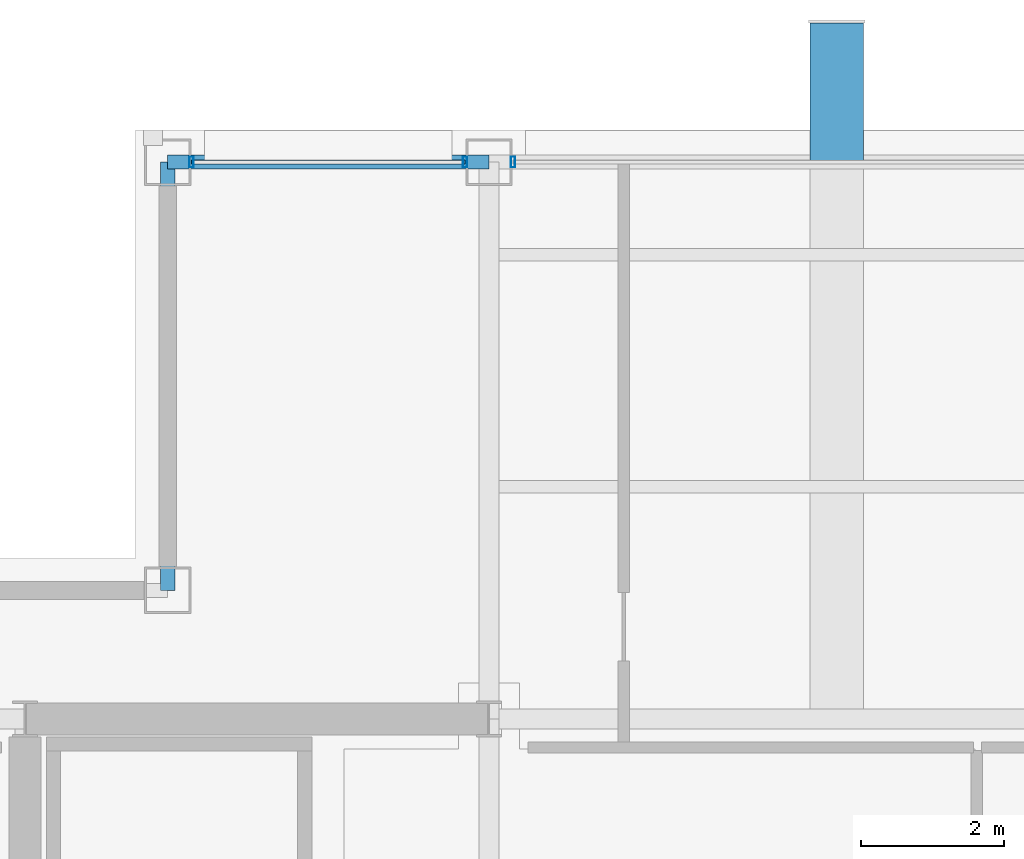
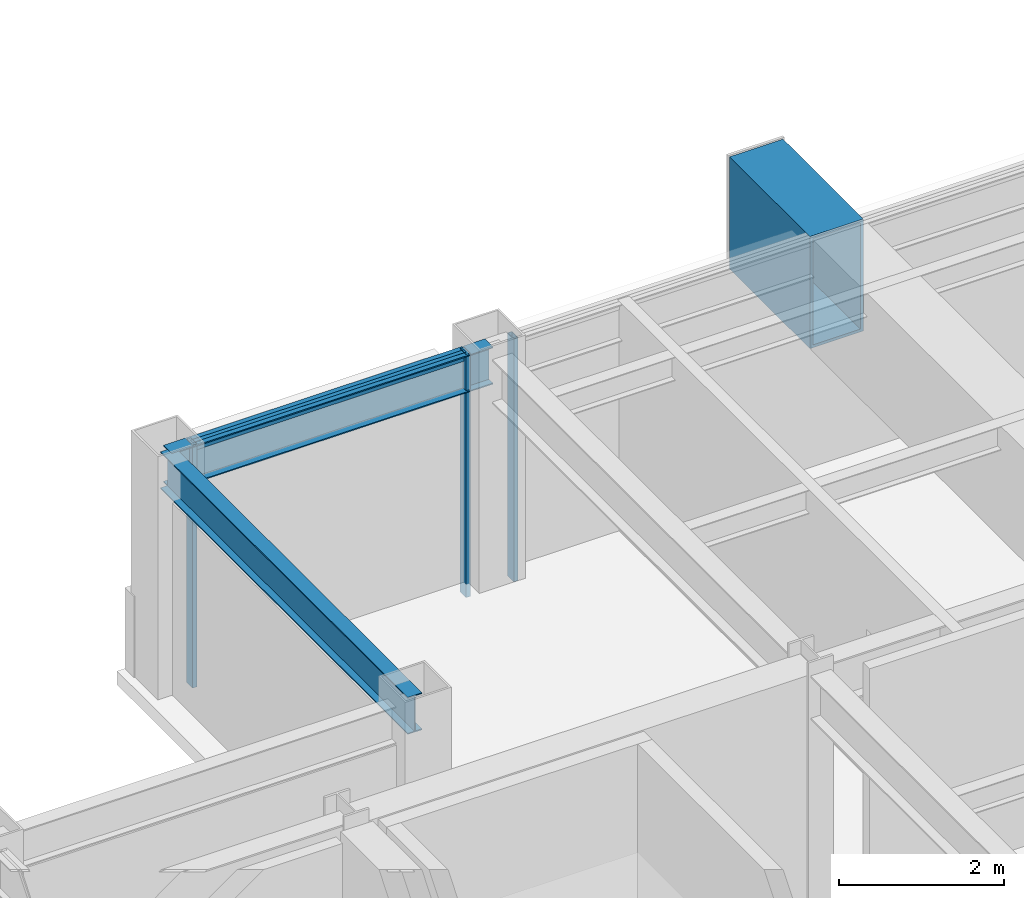
# One storey, part 13 of 20: 4 members, 3 beams, 2 elements without a shape of their own.
"""IFC4 building model written with IfcOpenShell, lengths in metres."""

from ifc_helpers import new_model, si_unit, direction, frame, origin, origin_2d, place, context, subcontext, project, spatial, hollow_rectangle, i_section, extrude, material, layer, layer_set, material_profile, profile_set, type_object, element, aggregate, save


model = new_model("IFC4")

# Units and contexts
model_context = context("Model", 3, precision=1e-05, world=origin(), true_north=direction((0.0, 1.0)))
body_context = subcontext(model_context, "Body", "Model", "MODEL_VIEW")
ifc_project = project(units=[si_unit("LENGTHUNIT", "METRE"), si_unit("AREAUNIT", "SQUARE_METRE"), si_unit("VOLUMEUNIT", "CUBIC_METRE"), si_unit("PLANEANGLEUNIT", "RADIAN"), si_unit("MASSUNIT", "GRAM", prefix="KILO")], contexts=[model_context])

# Site, building, storey
site_placement = place(None, origin())
site = spatial("IfcSite", under=ifc_project, at=site_placement, CompositionType="ELEMENT")
building_placement = place(site_placement, origin())
building = spatial("IfcBuilding", under=site, at=building_placement, Name="Brelmoor Portico Tower", CompositionType="ELEMENT")
storey_placement = place(building_placement, frame((0.0, 0.0, 218.39990234375)))
storey = spatial("IfcBuildingStorey", under=building, at=storey_placement, Name="L57", CompositionType="ELEMENT", Elevation=218.39990234375)

# Beams
ifc_material_1 = material(Name="Steel Q355B", Category="steel")
ifc_material_profile_1 = material_profile(ifc_material_1, hollow_rectangle(XDim=0.75, YDim=1.659912109375, WallThickness=0.0419921875, at=origin_2d()), Name="BOX 750x1660x42")
ifc_profile_set_1 = profile_set([ifc_material_profile_1], Name="Steel Q355B")
beam_type_1 = type_object("IfcBeamType", Name="BM-PF-CANT", PredefinedType="BEAM", material=ifc_profile_set_1)
beam_1_placement = place(storey_placement, frame((-3.179931640625, 17.550048828125, 2.570068359375), z_axis=(0.0, 1.0, 0.0), x_axis=(-1.0, 0.0, 0.0)))
element("IfcBeam", 1, at=beam_1_placement, inside=storey, type_object=beam_type_1, Name="L57 Picture-Frame Outrigger Transfer Cantilever PFB-01", PredefinedType="BEAM", context=body_context, shape_type="SweptSolid", body=[
    extrude(hollow_rectangle(XDim=0.75, YDim=1.659912109375, WallThickness=0.0419921875, at=origin_2d()), origin(), (0.0, 0.0, 1.0), 1.949951171875),
])
ifc_material_profile_2 = material_profile(ifc_material_1, i_section(OverallWidth=0.199951171875, OverallDepth=0.550048828125, WebThickness=0.010009765625, FlangeThickness=0.01611328125, at=origin_2d()), Name="HN 550x200x10x16")
ifc_profile_set_2 = profile_set([ifc_material_profile_2], Name="Steel Q355B")
beam_type_2 = type_object("IfcBeamType", Name="BM-SP-550", PredefinedType="SPANDREL", material=ifc_profile_set_2)
beam_2_placement = place(storey_placement, frame((-12.550048828125, 17.550048828125, 3.125), z_axis=(1.0, 0.0, 0.0), x_axis=(0.0, 1.0, 0.0)))
element("IfcBeam", 2, at=beam_2_placement, inside=storey, type_object=beam_type_2, Name="L57 Perimeter Spandrel Beam SP-08", PredefinedType="SPANDREL", context=body_context, shape_type="SweptSolid", body=[
    extrude(i_section(OverallWidth=0.199951171875, OverallDepth=0.550048828125, WebThickness=0.010009765625, FlangeThickness=0.01611328125, at=origin_2d()), origin(), (0.0, 0.0, 1.0), 4.5),
])
beam_3_placement = place(storey_placement, frame((-12.550048828125, 11.550048828125, 3.125), z_axis=(0.0, 1.0, 0.0), x_axis=(-1.0, 0.0, 0.0)))
element("IfcBeam", 3, at=beam_3_placement, inside=storey, type_object=beam_type_2, Name="L57 Perimeter Spandrel Beam SP-15", PredefinedType="SPANDREL", context=body_context, shape_type="SweptSolid", body=[
    extrude(i_section(OverallWidth=0.199951171875, OverallDepth=0.550048828125, WebThickness=0.010009765625, FlangeThickness=0.01611328125, at=origin_2d()), origin(), (0.0, 0.0, 1.0), 6.0),
])

# Curtain wall, members
ifc_material_2 = material(Name="Anodised Aluminium Alloy 6063-T6", Category="aluminium")
ifc_layer = layer(ifc_material_2, 0.179931640625)
ifc_layer_set = layer_set([ifc_layer], Name="Anodised Aluminium Alloy 6063-T6")
curtain_wall_type = type_object("IfcCurtainWallType", Name="CW-TOWER-Z4-XB", PredefinedType="NOTDEFINED", material=ifc_layer_set)
curtain_wall_1_placement = place(storey_placement, origin())
curtain_wall_1 = element("IfcCurtainWall", 4, at=curtain_wall_1_placement, inside=storey, type_object=curtain_wall_type, Name="L57 Curtain Wall CW-L57-02-1", PredefinedType="NOTDEFINED")
ifc_material_profile_3 = material_profile(ifc_material_2, hollow_rectangle(XDim=0.06005859375, YDim=0.14990234375, WallThickness=0.00390625, at=origin_2d()), Name="ALU MULLION 60x150")
ifc_profile_set_3 = profile_set([ifc_material_profile_3], Name="Anodised Aluminium Alloy 6063-T6")
member_type_1 = type_object("IfcMemberType", Name="MB-CW-MULL-150", PredefinedType="MULLION", material=ifc_profile_set_3)
member_1_placement = place(storey_placement, frame((-12.215087890625, 17.550048828125, -0.199951171875), z_axis=(0.0, 0.0, 1.0), x_axis=(1.0, 0.0, 0.0)))
member_1 = element("IfcMember", 5, at=member_1_placement, type_object=member_type_1, Name="CW-L57-02-1 Mullion 00", PredefinedType="MULLION", context=body_context, shape_type="SweptSolid", body=[
    extrude(hollow_rectangle(XDim=0.06005859375, YDim=0.14990234375, WallThickness=0.00390625, at=origin_2d()), origin(), (0.0, 0.0, 1.0), 3.60009765625),
])
member_2_placement = place(storey_placement, frame((-8.385009765625, 17.550048828125, -0.199951171875), z_axis=(0.0, 0.0, 1.0), x_axis=(1.0, 0.0, 0.0)))
member_2 = element("IfcMember", 6, at=member_2_placement, type_object=member_type_1, Name="CW-L57-02-1 Mullion 01", PredefinedType="MULLION", context=body_context, shape_type="SweptSolid", body=[
    extrude(hollow_rectangle(XDim=0.06005859375, YDim=0.14990234375, WallThickness=0.00390625, at=origin_2d()), origin(), (0.0, 0.0, 1.0), 3.60009765625),
])

# Curtain wall, member
curtain_wall_2_placement = place(storey_placement, origin())
curtain_wall_2 = element("IfcCurtainWall", 7, at=curtain_wall_2_placement, inside=storey, type_object=curtain_wall_type, Name="L57 Curtain Wall CW-L57-02-2", PredefinedType="NOTDEFINED")
member_3_placement = place(storey_placement, frame((-7.715087890625, 17.550048828125, -0.199951171875), z_axis=(0.0, 0.0, 1.0), x_axis=(1.0, 0.0, 0.0)))
member_3 = element("IfcMember", 8, at=member_3_placement, type_object=member_type_1, Name="CW-L57-02-2 Mullion 00", PredefinedType="MULLION", context=body_context, shape_type="SweptSolid", body=[
    extrude(hollow_rectangle(XDim=0.06005859375, YDim=0.14990234375, WallThickness=0.00390625, at=origin_2d()), origin(), (0.0, 0.0, 1.0), 3.60009765625),
])
aggregate(curtain_wall_2, [member_3])

# Member
ifc_material_profile_4 = material_profile(ifc_material_2, hollow_rectangle(XDim=0.06005859375, YDim=0.125, WallThickness=0.00341796875, at=origin_2d()), Name="ALU TRANSOM 60x125")
ifc_profile_set_4 = profile_set([ifc_material_profile_4], Name="Anodised Aluminium Alloy 6063-T6")
member_type_2 = type_object("IfcMemberType", Name="MB-CW-TRAN-125", PredefinedType="USERDEFINED", material=ifc_profile_set_4)
member_4_placement = place(storey_placement, frame((-12.215087890625, 17.550048828125, 3.337646484375), z_axis=(1.0, 0.0, 0.0), x_axis=(0.0, 1.0, 0.0)))
member_4 = element("IfcMember", 9, at=member_4_placement, type_object=member_type_2, Name="CW-L57-02-1 Transom 1-00", ObjectType="TRANSOM", PredefinedType="USERDEFINED", context=body_context, shape_type="SweptSolid", body=[
    extrude(hollow_rectangle(XDim=0.06005859375, YDim=0.125, WallThickness=0.00341796875, at=origin_2d()), origin(), (0.0, 0.0, 1.0), 3.830078125),
])

aggregate(curtain_wall_1, [member_1, member_2, member_4])

save(model, "model.ifc")
